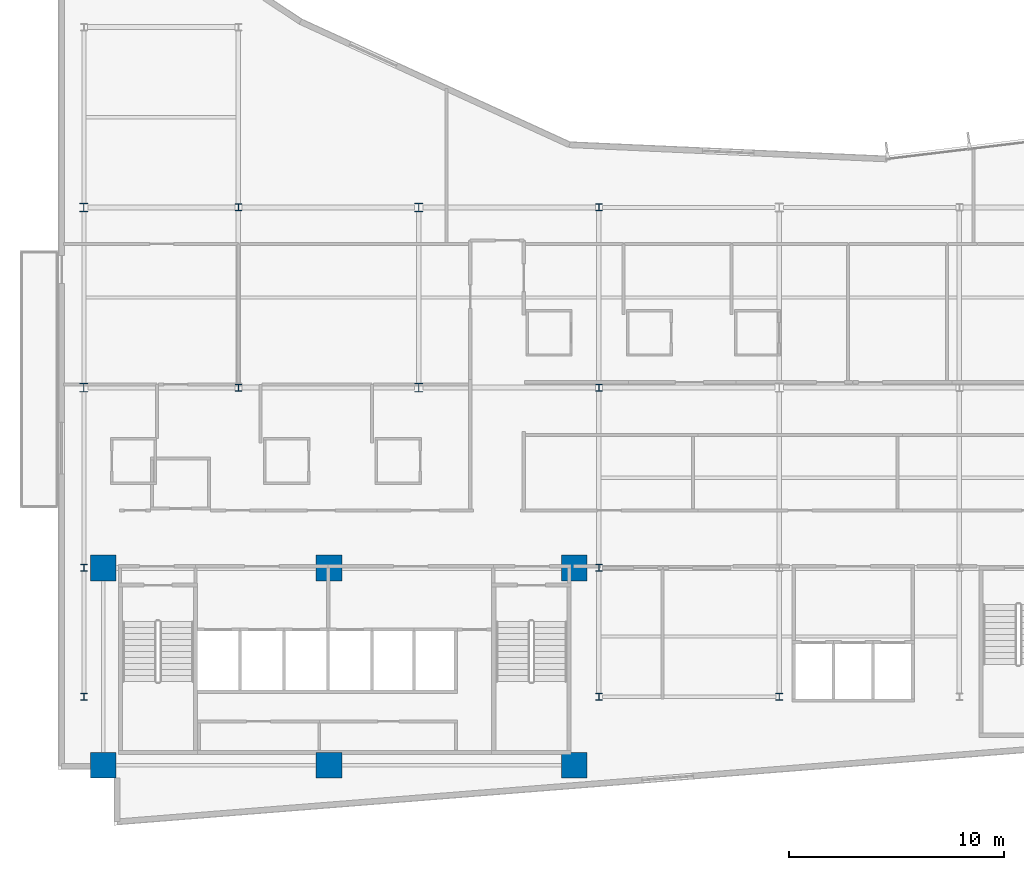
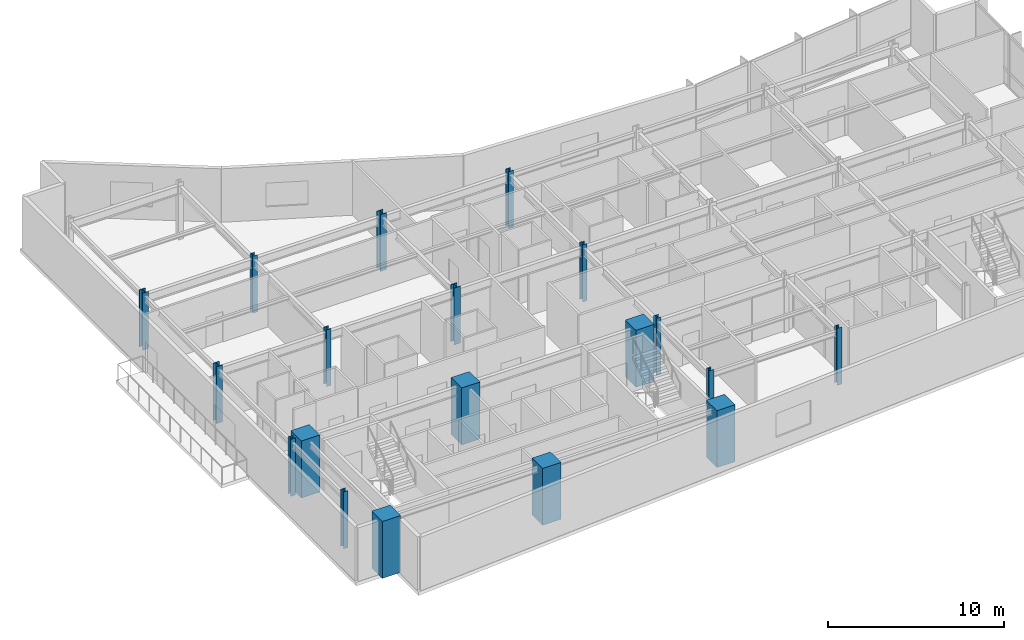
# One storey, part 1 of 18: 19 columns.
"""IFC4 building model written with IfcOpenShell, lengths in metres."""

from ifc_helpers import new_model, si_unit, direction, frame, origin, origin_2d, place, context, subcontext, project, spatial, rectangle, i_section, extrude, material, material_profile, profile_set, type_object, element, save


model = new_model("IFC4")

# Units and contexts
model_context = context("Model", 3, precision=1e-05, world=origin(), true_north=direction((0.0, 1.0)))
body_context = subcontext(model_context, "Body", "Model", "MODEL_VIEW")
ifc_project = project(units=[si_unit("LENGTHUNIT", "METRE"), si_unit("AREAUNIT", "SQUARE_METRE"), si_unit("VOLUMEUNIT", "CUBIC_METRE"), si_unit("PLANEANGLEUNIT", "RADIAN"), si_unit("MASSUNIT", "GRAM", prefix="KILO")], contexts=[model_context])

# Site, building, storey
site_placement = place(None, origin())
site = spatial("IfcSite", under=ifc_project, at=site_placement, CompositionType="ELEMENT")
building_placement = place(site_placement, origin())
building = spatial("IfcBuilding", under=site, at=building_placement, Name="Varnakote Quay Hospital", CompositionType="ELEMENT")
storey_placement = place(building_placement, frame((0.0, 0.0, 119.14990234375)))
storey = spatial("IfcBuildingStorey", under=building, at=storey_placement, Name="L29", CompositionType="ELEMENT", Elevation=119.14990234375)

# Columns
ifc_material_1 = material(Name="Concrete N80 (f'c 80 MPa)", Category="concrete")
ifc_material_profile_1 = material_profile(ifc_material_1, rectangle(XDim=1.199951171875, YDim=1.199951171875, at=origin_2d()), Name="RC-COL-1200x1200")
ifc_profile_set_1 = profile_set([ifc_material_profile_1], Name="Concrete N80 (f'c 80 MPa)")
column_type_1 = type_object("IfcColumnType", Name="COL-RC-1200", PredefinedType="COLUMN", material=ifc_profile_set_1)
for number, where, z_axis, x_axis, name in (
    (1, (2.10009765625, 2.800048828125, 0.0), (0.0, 0.0, 1.0), (1.0, 0.0, 0.0), "L29 Structural Column C-2-3"),
    (2, (12.6201171875, 2.800048828125, 0.0), (0.0, 0.0, 1.0), (1.0, 0.0, 0.0), "L29 Structural Column C-13-3"),
    (3, (24.050048828125, 2.800048828125, 0.0), (0.0, 0.0, 1.0), (1.0, 0.0, 0.0), "L29 Structural Column C-24-3"),
    (4, (2.10009765625, 12.0, 0.0), (0.0, 0.0, 1.0), (1.0, 0.0, 0.0), "L29 Structural Column C-2-12"),
    (5, (12.6201171875, 12.0, 0.0), (0.0, 0.0, 1.0), (1.0, 0.0, 0.0), "L29 Structural Column C-13-12"),
    (6, (24.050048828125, 12.0, 0.0), (0.0, 0.0, 1.0), (1.0, 0.0, 0.0), "L29 Structural Column C-24-12"),
):
    element("IfcColumn", number, at=place(storey_placement, frame(where, z_axis=z_axis, x_axis=x_axis)), inside=storey, type_object=column_type_1, Name=name, PredefinedType="COLUMN", context=body_context, shape_type="SweptSolid", body=[
        extrude(rectangle(XDim=1.199951171875, YDim=1.199951171875, at=origin_2d()), origin(), (0.0, 0.0, 1.0), 3.9501953125),
    ])
ifc_material_2 = material(Name="Structural steel AS/NZS 3679.1 Grade 350 L0 (fy 340 MPa)", Category="steel")
ifc_material_profile_2 = material_profile(ifc_material_2, i_section(OverallWidth=0.30908203125, OverallDepth=0.321044921875, WebThickness=0.013916015625, FlangeThickness=0.021728515625, FilletRadius=0.0166015625, at=origin_2d()), Name="310UC137")
ifc_profile_set_2 = profile_set([ifc_material_profile_2], Name="Structural steel AS/NZS 3679.1 Grade 350 L0 (fy 340 MPa)")
column_type_2 = type_object("IfcColumnType", Name="COL-STL-310UC137", PredefinedType="COLUMN", material=ifc_profile_set_2)
for number, where, z_axis, x_axis, name in (
    (7, (1.199951171875, 6.0, 0.0), (0.0, 0.0, 1.0), (1.0, 0.0, 0.0), "L29 Structural Column C-1-6"),
    (8, (25.199951171875, 6.0, 0.0), (0.0, 0.0, 1.0), (1.0, 0.0, 0.0), "L29 Structural Column C-25-6"),
    (9, (33.60009765625, 6.0, 0.0), (0.0, 0.0, 1.0), (1.0, 0.0, 0.0), "L29 Structural Column C-34-6"),
    (10, (1.199951171875, 12.0, 0.0), (0.0, 0.0, 1.0), (1.0, 0.0, 0.0), "L29 Structural Column C-1-12"),
    (11, (25.199951171875, 12.0, 0.0), (0.0, 0.0, 1.0), (1.0, 0.0, 0.0), "L29 Structural Column C-25-12"),
    (12, (8.39990234375, 20.39990234375, 0.0), (0.0, 0.0, 1.0), (1.0, 0.0, 0.0), "L29 Structural Column C-8-20"),
    (13, (25.199951171875, 20.39990234375, 0.0), (0.0, 0.0, 1.0), (1.0, 0.0, 0.0), "L29 Structural Column C-25-20"),
    (14, (8.39990234375, 28.800048828125, 0.0), (0.0, 0.0, 1.0), (1.0, 0.0, 0.0), "L29 Structural Column C-8-29"),
    (15, (25.199951171875, 28.800048828125, 0.0), (0.0, 0.0, 1.0), (1.0, 0.0, 0.0), "L29 Structural Column C-25-29"),
):
    element("IfcColumn", number, at=place(storey_placement, frame(where, z_axis=z_axis, x_axis=x_axis)), inside=storey, type_object=column_type_2, Name=name, PredefinedType="COLUMN", context=body_context, shape_type="SweptSolid", body=[
        extrude(i_section(OverallWidth=0.30908203125, OverallDepth=0.321044921875, WebThickness=0.013916015625, FlangeThickness=0.021728515625, FilletRadius=0.0166015625, at=origin_2d()), origin(), (0.0, 0.0, 1.0), 3.9501953125),
    ])
ifc_material_3 = material(Name="Structural steel AS/NZS 3678 Grade 350 (fy 340 MPa)", Category="steel")
ifc_material_profile_3 = material_profile(ifc_material_3, i_section(OverallWidth=0.39990234375, OverallDepth=0.419921875, WebThickness=0.02490234375, FlangeThickness=0.0400390625, at=origin_2d()), Name="400WC328")
ifc_profile_set_3 = profile_set([ifc_material_profile_3], Name="Structural steel AS/NZS 3678 Grade 350 (fy 340 MPa)")
column_type_3 = type_object("IfcColumnType", Name="COL-STL-400WC328", PredefinedType="COLUMN", material=ifc_profile_set_3)
for number, where, z_axis, x_axis, name in (
    (16, (1.199951171875, 20.39990234375, 0.0), (0.0, 0.0, 1.0), (1.0, 0.0, 0.0), "L29 Structural Column C-1-20"),
    (17, (16.800048828125, 20.39990234375, 0.0), (0.0, 0.0, 1.0), (1.0, 0.0, 0.0), "L29 Structural Column C-17-20"),
    (18, (1.199951171875, 28.800048828125, 0.0), (0.0, 0.0, 1.0), (1.0, 0.0, 0.0), "L29 Structural Column C-1-29"),
    (19, (16.800048828125, 28.800048828125, 0.0), (0.0, 0.0, 1.0), (1.0, 0.0, 0.0), "L29 Structural Column C-17-29"),
):
    element("IfcColumn", number, at=place(storey_placement, frame(where, z_axis=z_axis, x_axis=x_axis)), inside=storey, type_object=column_type_3, Name=name, PredefinedType="COLUMN", context=body_context, shape_type="SweptSolid", body=[
        extrude(i_section(OverallWidth=0.39990234375, OverallDepth=0.419921875, WebThickness=0.02490234375, FlangeThickness=0.0400390625, at=origin_2d()), origin(), (0.0, 0.0, 1.0), 3.9501953125),
    ])

save(model, "model.ifc")
